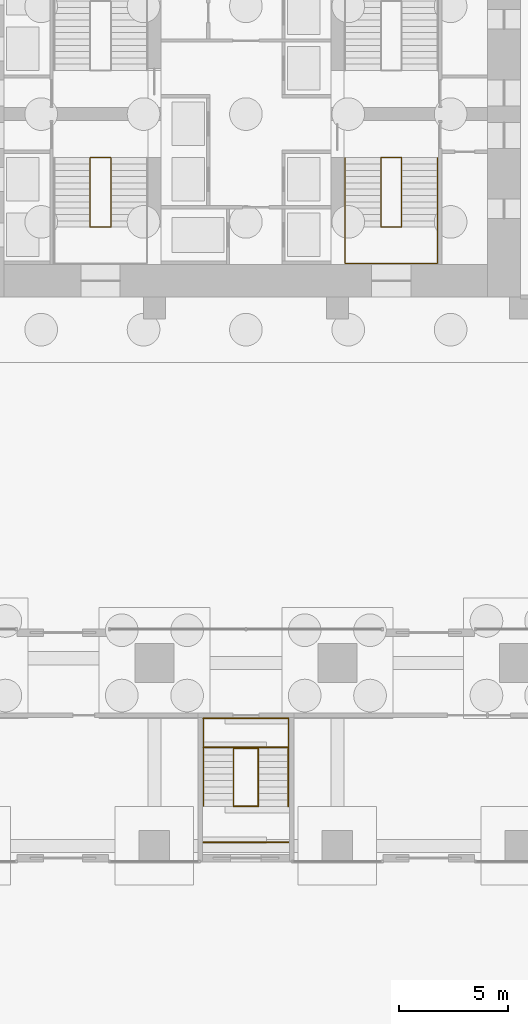
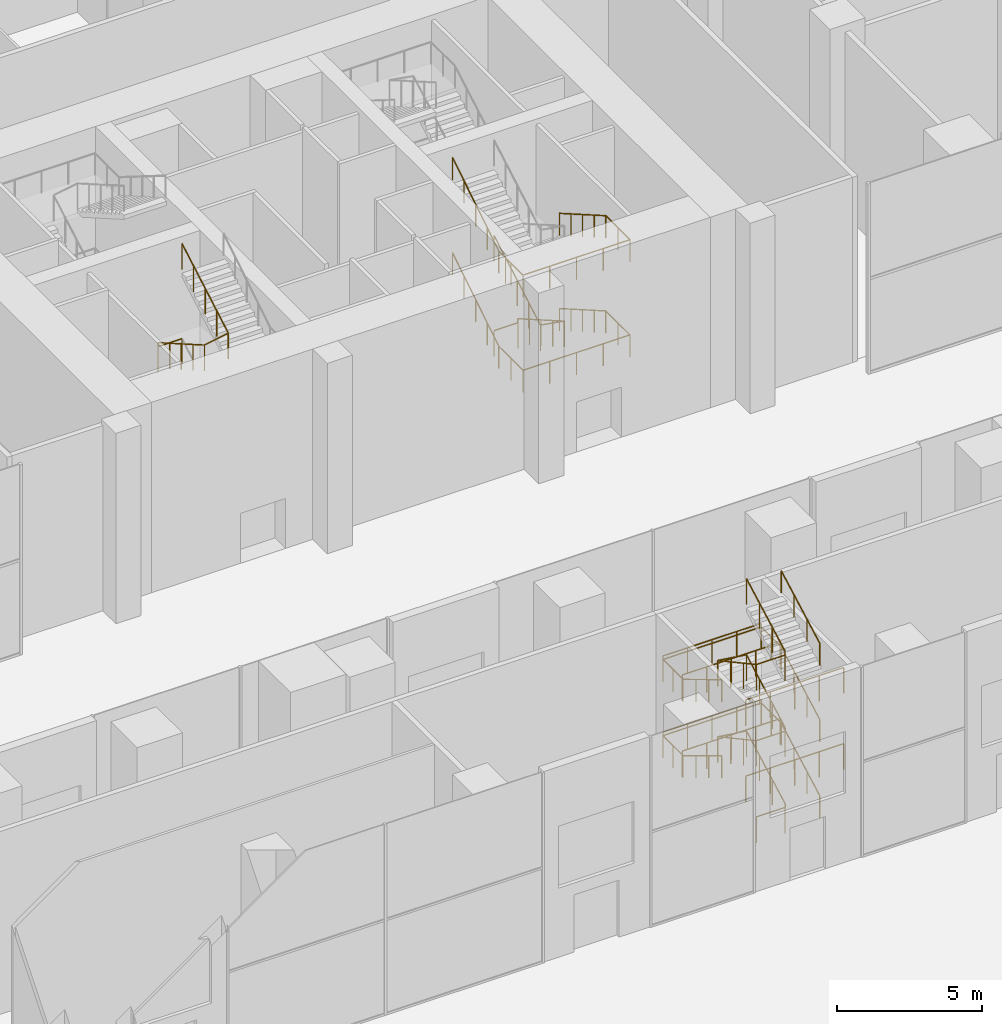
# One storey, part 25 of 31: 17 railings.
"""IFC4 building model written with IfcOpenShell, lengths in metres."""

from ifc_helpers import new_model, si_unit, direction, frame, origin, origin_2d, place, context, subcontext, project, spatial, circle, extrude, material, type_object, element, save


model = new_model("IFC4")

# Units and contexts
model_context = context("Model", 3, precision=1e-05, world=origin(), true_north=direction((0.0, 1.0)))
body_context = subcontext(model_context, "Body", "Model", "MODEL_VIEW")
ifc_project = project(units=[si_unit("LENGTHUNIT", "METRE"), si_unit("AREAUNIT", "SQUARE_METRE"), si_unit("VOLUMEUNIT", "CUBIC_METRE"), si_unit("PLANEANGLEUNIT", "RADIAN"), si_unit("MASSUNIT", "GRAM", prefix="KILO")], contexts=[model_context])

# Site, building, storey
site_placement = place(None, origin())
site = spatial("IfcSite", under=ifc_project, at=site_placement, CompositionType="ELEMENT")
building_placement = place(site_placement, origin())
building = spatial("IfcBuilding", under=site, at=building_placement, Name="Marenta Gate Hotel Tower", CompositionType="ELEMENT")
storey_placement = place(building_placement, origin())
storey = spatial("IfcBuildingStorey", under=building, at=storey_placement, Name="L00", CompositionType="ELEMENT", Elevation=0.0)

# Railings
ifc_material_1 = material(Name="Stainless steel", Category="steel")
railing_type_1 = type_object("IfcRailingType", Name="Core stair handrail 950", PredefinedType="HANDRAIL", material=ifc_material_1)
railing_1_placement = place(storey_placement, frame((8.800048828125, 6.39990234375, 0.166748046875)))
element("IfcRailing", 1, at=railing_1_placement, inside=storey, type_object=railing_type_1, Name="HR-950 L00-KR-ST3-1", PredefinedType="HANDRAIL", context=body_context, shape_type="SweptSolid", body=[
    extrude(circle(Radius=0.02392578125, at=origin_2d()), frame((0.0, 0.0, 0.92578125), z_axis=(0.0, -0.867019545617, 0.498274128887), x_axis=(1.0, 0.0, 0.0)), (0.0, 0.0, 1.0), 3.67919921875),
    extrude(circle(Radius=0.02392578125, at=origin_2d()), frame((0.0, -3.18994140625, 2.75927734375), z_axis=(0.0, -1.0, 0.0), x_axis=(1.0, 0.0, 0.0)), (0.0, 0.0, 1.0), 1.659912109375),
    extrude(circle(Radius=0.02392578125, at=origin_2d()), frame((0.0, -4.849853515625, 2.75927734375), z_axis=(-1.0, 0.0, 0.0), x_axis=(0.0, -1.0, 0.0)), (0.0, 0.0, 1.0), 4.25),
    extrude(circle(Radius=0.02392578125, at=origin_2d()), frame((-4.25, -4.849853515625, 2.75927734375), z_axis=(0.0, 1.0, 0.0), x_axis=(-1.0, 0.0, 0.0)), (0.0, 0.0, 1.0), 1.659912109375),
    extrude(circle(Radius=0.02392578125, at=origin_2d()), frame((-4.25, -3.18994140625, 2.75927734375), z_axis=(0.0, 0.847247016309, 0.531199108955), x_axis=(-1.0, 0.0, 0.0)), (0.0, 0.0, 1.0), 3.76513671875),
    extrude(circle(Radius=0.02099609375, at=origin_2d()), origin(), (0.0, 0.0, 1.0), 0.90185546875),
    extrude(circle(Radius=0.02099609375, at=origin_2d()), frame((0.0, -0.79736328125, 0.458251953125)), (0.0, 0.0, 1.0), 0.90185546875),
    extrude(circle(Radius=0.02099609375, at=origin_2d()), frame((0.0, -1.594970703125, 0.91650390625)), (0.0, 0.0, 1.0), 0.90185546875),
    extrude(circle(Radius=0.02099609375, at=origin_2d()), frame((0.0, -2.392578125, 1.375)), (0.0, 0.0, 1.0), 0.90185546875),
    extrude(circle(Radius=0.02099609375, at=origin_2d()), frame((0.0, -3.18994140625, 1.833251953125)), (0.0, 0.0, 1.0), 0.90185546875),
    extrude(circle(Radius=0.02099609375, at=origin_2d()), frame((0.0, -4.02001953125, 1.833251953125)), (0.0, 0.0, 1.0), 0.90185546875),
    extrude(circle(Radius=0.02099609375, at=origin_2d()), frame((0.0, -4.849853515625, 1.833251953125)), (0.0, 0.0, 1.0), 0.90185546875),
    extrude(circle(Radius=0.02099609375, at=origin_2d()), frame((-1.0625, -4.849853515625, 1.833251953125)), (0.0, 0.0, 1.0), 0.90185546875),
    extrude(circle(Radius=0.02099609375, at=origin_2d()), frame((-2.125, -4.849853515625, 1.833251953125)), (0.0, 0.0, 1.0), 0.90185546875),
    extrude(circle(Radius=0.02099609375, at=origin_2d()), frame((-3.1875, -4.849853515625, 1.833251953125)), (0.0, 0.0, 1.0), 0.90185546875),
    extrude(circle(Radius=0.02099609375, at=origin_2d()), frame((-4.25, -4.849853515625, 1.833251953125)), (0.0, 0.0, 1.0), 0.90185546875),
    extrude(circle(Radius=0.02099609375, at=origin_2d()), frame((-4.25, -4.02001953125, 1.833251953125)), (0.0, 0.0, 1.0), 0.90185546875),
    extrude(circle(Radius=0.02099609375, at=origin_2d()), frame((-4.25, -3.18994140625, 1.833251953125)), (0.0, 0.0, 1.0), 0.90185546875),
    extrude(circle(Radius=0.02099609375, at=origin_2d()), frame((-4.25, -2.392578125, 2.333251953125)), (0.0, 0.0, 1.0), 0.90185546875),
    extrude(circle(Radius=0.02099609375, at=origin_2d()), frame((-4.25, -1.594970703125, 2.833251953125)), (0.0, 0.0, 1.0), 0.90185546875),
    extrude(circle(Radius=0.02099609375, at=origin_2d()), frame((-4.25, -0.79736328125, 3.333251953125)), (0.0, 0.0, 1.0), 0.90185546875),
    extrude(circle(Radius=0.02099609375, at=origin_2d()), frame((-4.25, 0.0, 3.833251953125)), (0.0, 0.0, 1.0), 0.90185546875),
])
railing_2_placement = place(storey_placement, frame((8.800048828125, 6.39990234375, 4.166748046875)))
element("IfcRailing", 2, at=railing_2_placement, inside=storey, type_object=railing_type_1, Name="HR-950 L00-KR-ST3-3", PredefinedType="HANDRAIL", context=body_context, shape_type="SweptSolid", body=[
    extrude(circle(Radius=0.02392578125, at=origin_2d()), frame((0.0, 0.0, 0.92578125), z_axis=(0.0, -0.867019545617, 0.498274128887), x_axis=(1.0, 0.0, 0.0)), (0.0, 0.0, 1.0), 3.67919921875),
    extrude(circle(Radius=0.02392578125, at=origin_2d()), frame((0.0, -3.18994140625, 2.75927734375), z_axis=(0.0, -1.0, 0.0), x_axis=(1.0, 0.0, 0.0)), (0.0, 0.0, 1.0), 1.659912109375),
    extrude(circle(Radius=0.02392578125, at=origin_2d()), frame((0.0, -4.849853515625, 2.75927734375), z_axis=(-1.0, 0.0, 0.0), x_axis=(0.0, -1.0, 0.0)), (0.0, 0.0, 1.0), 4.25),
    extrude(circle(Radius=0.02392578125, at=origin_2d()), frame((-4.25, -4.849853515625, 2.75927734375), z_axis=(0.0, 1.0, 0.0), x_axis=(-1.0, 0.0, 0.0)), (0.0, 0.0, 1.0), 1.659912109375),
    extrude(circle(Radius=0.02392578125, at=origin_2d()), frame((-4.25, -3.18994140625, 2.75927734375), z_axis=(0.0, 0.847247016309, 0.531199108955), x_axis=(-1.0, 0.0, 0.0)), (0.0, 0.0, 1.0), 3.76513671875),
    extrude(circle(Radius=0.02099609375, at=origin_2d()), origin(), (0.0, 0.0, 1.0), 0.90185546875),
    extrude(circle(Radius=0.02099609375, at=origin_2d()), frame((0.0, -0.79736328125, 0.458251953125)), (0.0, 0.0, 1.0), 0.90185546875),
    extrude(circle(Radius=0.02099609375, at=origin_2d()), frame((0.0, -1.594970703125, 0.91650390625)), (0.0, 0.0, 1.0), 0.90185546875),
    extrude(circle(Radius=0.02099609375, at=origin_2d()), frame((0.0, -2.392578125, 1.375)), (0.0, 0.0, 1.0), 0.90185546875),
    extrude(circle(Radius=0.02099609375, at=origin_2d()), frame((0.0, -3.18994140625, 1.833251953125)), (0.0, 0.0, 1.0), 0.90185546875),
    extrude(circle(Radius=0.02099609375, at=origin_2d()), frame((0.0, -4.02001953125, 1.833251953125)), (0.0, 0.0, 1.0), 0.90185546875),
    extrude(circle(Radius=0.02099609375, at=origin_2d()), frame((0.0, -4.849853515625, 1.833251953125)), (0.0, 0.0, 1.0), 0.90185546875),
    extrude(circle(Radius=0.02099609375, at=origin_2d()), frame((-1.0625, -4.849853515625, 1.833251953125)), (0.0, 0.0, 1.0), 0.90185546875),
    extrude(circle(Radius=0.02099609375, at=origin_2d()), frame((-2.125, -4.849853515625, 1.833251953125)), (0.0, 0.0, 1.0), 0.90185546875),
    extrude(circle(Radius=0.02099609375, at=origin_2d()), frame((-3.1875, -4.849853515625, 1.833251953125)), (0.0, 0.0, 1.0), 0.90185546875),
    extrude(circle(Radius=0.02099609375, at=origin_2d()), frame((-4.25, -4.849853515625, 1.833251953125)), (0.0, 0.0, 1.0), 0.90185546875),
    extrude(circle(Radius=0.02099609375, at=origin_2d()), frame((-4.25, -4.02001953125, 1.833251953125)), (0.0, 0.0, 1.0), 0.90185546875),
    extrude(circle(Radius=0.02099609375, at=origin_2d()), frame((-4.25, -3.18994140625, 1.833251953125)), (0.0, 0.0, 1.0), 0.90185546875),
    extrude(circle(Radius=0.02099609375, at=origin_2d()), frame((-4.25, -2.392578125, 2.333251953125)), (0.0, 0.0, 1.0), 0.90185546875),
    extrude(circle(Radius=0.02099609375, at=origin_2d()), frame((-4.25, -1.594970703125, 2.833251953125)), (0.0, 0.0, 1.0), 0.90185546875),
    extrude(circle(Radius=0.02099609375, at=origin_2d()), frame((-4.25, -0.79736328125, 3.333251953125)), (0.0, 0.0, 1.0), 0.90185546875),
    extrude(circle(Radius=0.02099609375, at=origin_2d()), frame((-4.25, 0.0, 3.833251953125)), (0.0, 0.0, 1.0), 0.90185546875),
])
railing_3_placement = place(storey_placement, frame((1.949951171875, -23.385009765625, 0.159912109375)))
element("IfcRailing", 3, at=railing_3_placement, inside=storey, type_object=railing_type_1, Name="HR-950 L00-KR-PX5-2", PredefinedType="HANDRAIL", context=body_context, shape_type="SweptSolid", body=[
    extrude(circle(Radius=0.02392578125, at=origin_2d()), frame((0.0, 0.0, 0.92578125), z_axis=(0.0, 0.879008314826, 0.476806441302), x_axis=(-1.0, 0.0, 0.0)), (0.0, 0.0, 1.0), 3.0205078125),
    extrude(circle(Radius=0.02392578125, at=origin_2d()), frame((0.0, 2.655029296875, 2.3662109375), z_axis=(0.0, 1.0, 0.0), x_axis=(-1.0, 0.0, 0.0)), (0.0, 0.0, 1.0), 1.3798828125),
    extrude(circle(Radius=0.02392578125, at=origin_2d()), frame((0.0, 4.034912109375, 2.3662109375), z_axis=(-1.0, 0.0, 0.0), x_axis=(0.0, -1.0, 0.0)), (0.0, 0.0, 1.0), 3.89990234375),
    extrude(circle(Radius=0.02392578125, at=origin_2d()), frame((-3.89990234375, 4.034912109375, 2.3662109375), z_axis=(0.0, -1.0, 0.0), x_axis=(1.0, 0.0, 0.0)), (0.0, 0.0, 1.0), 1.3798828125),
    extrude(circle(Radius=0.02392578125, at=origin_2d()), frame((-3.89990234375, 2.655029296875, 2.3662109375), z_axis=(0.0, -0.856518470943, 0.516116371503), x_axis=(1.0, 0.0, 0.0)), (0.0, 0.0, 1.0), 3.099853515625),
    extrude(circle(Radius=0.02099609375, at=origin_2d()), origin(), (0.0, 0.0, 1.0), 0.90185546875),
    extrude(circle(Radius=0.02099609375, at=origin_2d()), frame((0.0, 0.885009765625, 0.47998046875)), (0.0, 0.0, 1.0), 0.90185546875),
    extrude(circle(Radius=0.02099609375, at=origin_2d()), frame((0.0, 1.77001953125, 0.960205078125)), (0.0, 0.0, 1.0), 0.90185546875),
    extrude(circle(Radius=0.02099609375, at=origin_2d()), frame((0.0, 2.655029296875, 1.440185546875)), (0.0, 0.0, 1.0), 0.90185546875),
    extrude(circle(Radius=0.02099609375, at=origin_2d()), frame((0.0, 3.344970703125, 1.440185546875)), (0.0, 0.0, 1.0), 0.90185546875),
    extrude(circle(Radius=0.02099609375, at=origin_2d()), frame((0.0, 4.034912109375, 1.440185546875)), (0.0, 0.0, 1.0), 0.90185546875),
    extrude(circle(Radius=0.02099609375, at=origin_2d()), frame((-0.97509765625, 4.034912109375, 1.440185546875)), (0.0, 0.0, 1.0), 0.90185546875),
    extrude(circle(Radius=0.02099609375, at=origin_2d()), frame((-1.949951171875, 4.034912109375, 1.440185546875)), (0.0, 0.0, 1.0), 0.90185546875),
    extrude(circle(Radius=0.02099609375, at=origin_2d()), frame((-2.9248046875, 4.034912109375, 1.440185546875)), (0.0, 0.0, 1.0), 0.90185546875),
    extrude(circle(Radius=0.02099609375, at=origin_2d()), frame((-3.89990234375, 4.034912109375, 1.440185546875)), (0.0, 0.0, 1.0), 0.90185546875),
    extrude(circle(Radius=0.02099609375, at=origin_2d()), frame((-3.89990234375, 3.344970703125, 1.440185546875)), (0.0, 0.0, 1.0), 0.90185546875),
    extrude(circle(Radius=0.02099609375, at=origin_2d()), frame((-3.89990234375, 2.655029296875, 1.440185546875)), (0.0, 0.0, 1.0), 0.90185546875),
    extrude(circle(Radius=0.02099609375, at=origin_2d()), frame((-3.89990234375, 1.77001953125, 1.973388671875)), (0.0, 0.0, 1.0), 0.90185546875),
    extrude(circle(Radius=0.02099609375, at=origin_2d()), frame((-3.89990234375, 0.885009765625, 2.5068359375)), (0.0, 0.0, 1.0), 0.90185546875),
    extrude(circle(Radius=0.02099609375, at=origin_2d()), frame((-3.89990234375, 0.0, 3.0400390625)), (0.0, 0.0, 1.0), 0.90185546875),
])
railing_4_placement = place(storey_placement, frame((1.949951171875, -23.385009765625, 3.360107421875)))
element("IfcRailing", 4, at=railing_4_placement, inside=storey, type_object=railing_type_1, Name="HR-950 L00-KR-PX5-5", PredefinedType="HANDRAIL", context=body_context, shape_type="SweptSolid", body=[
    extrude(circle(Radius=0.02392578125, at=origin_2d()), frame((0.0, 0.0, 0.92578125), z_axis=(0.0, 0.879042190435, 0.476743985212), x_axis=(-1.0, 0.0, 0.0)), (0.0, 0.0, 1.0), 3.020263671875),
    extrude(circle(Radius=0.02392578125, at=origin_2d()), frame((0.0, 2.655029296875, 2.36572265625), z_axis=(0.0, 1.0, 0.0), x_axis=(-1.0, 0.0, 0.0)), (0.0, 0.0, 1.0), 1.3798828125),
    extrude(circle(Radius=0.02392578125, at=origin_2d()), frame((0.0, 4.034912109375, 2.36572265625), z_axis=(-1.0, 0.0, 0.0), x_axis=(0.0, -1.0, 0.0)), (0.0, 0.0, 1.0), 3.89990234375),
    extrude(circle(Radius=0.02392578125, at=origin_2d()), frame((-3.89990234375, 4.034912109375, 2.36572265625), z_axis=(0.0, -1.0, 0.0), x_axis=(1.0, 0.0, 0.0)), (0.0, 0.0, 1.0), 1.3798828125),
    extrude(circle(Radius=0.02392578125, at=origin_2d()), frame((-3.89990234375, 2.655029296875, 2.36572265625), z_axis=(0.0, -0.856518470943, 0.516116371503), x_axis=(1.0, 0.0, 0.0)), (0.0, 0.0, 1.0), 3.099853515625),
    extrude(circle(Radius=0.02099609375, at=origin_2d()), origin(), (0.0, 0.0, 1.0), 0.90185546875),
    extrude(circle(Radius=0.02099609375, at=origin_2d()), frame((0.0, 0.885009765625, 0.47998046875)), (0.0, 0.0, 1.0), 0.90185546875),
    extrude(circle(Radius=0.02099609375, at=origin_2d()), frame((0.0, 1.77001953125, 0.9599609375)), (0.0, 0.0, 1.0), 0.90185546875),
    extrude(circle(Radius=0.02099609375, at=origin_2d()), frame((0.0, 2.655029296875, 1.43994140625)), (0.0, 0.0, 1.0), 0.90185546875),
    extrude(circle(Radius=0.02099609375, at=origin_2d()), frame((0.0, 3.344970703125, 1.43994140625)), (0.0, 0.0, 1.0), 0.90185546875),
    extrude(circle(Radius=0.02099609375, at=origin_2d()), frame((0.0, 4.034912109375, 1.43994140625)), (0.0, 0.0, 1.0), 0.90185546875),
    extrude(circle(Radius=0.02099609375, at=origin_2d()), frame((-0.97509765625, 4.034912109375, 1.43994140625)), (0.0, 0.0, 1.0), 0.90185546875),
    extrude(circle(Radius=0.02099609375, at=origin_2d()), frame((-1.949951171875, 4.034912109375, 1.43994140625)), (0.0, 0.0, 1.0), 0.90185546875),
    extrude(circle(Radius=0.02099609375, at=origin_2d()), frame((-2.9248046875, 4.034912109375, 1.43994140625)), (0.0, 0.0, 1.0), 0.90185546875),
    extrude(circle(Radius=0.02099609375, at=origin_2d()), frame((-3.89990234375, 4.034912109375, 1.43994140625)), (0.0, 0.0, 1.0), 0.90185546875),
    extrude(circle(Radius=0.02099609375, at=origin_2d()), frame((-3.89990234375, 3.344970703125, 1.43994140625)), (0.0, 0.0, 1.0), 0.90185546875),
    extrude(circle(Radius=0.02099609375, at=origin_2d()), frame((-3.89990234375, 2.655029296875, 1.43994140625)), (0.0, 0.0, 1.0), 0.90185546875),
    extrude(circle(Radius=0.02099609375, at=origin_2d()), frame((-3.89990234375, 1.77001953125, 1.97314453125)), (0.0, 0.0, 1.0), 0.90185546875),
    extrude(circle(Radius=0.02099609375, at=origin_2d()), frame((-3.89990234375, 0.885009765625, 2.506591796875)), (0.0, 0.0, 1.0), 0.90185546875),
    extrude(circle(Radius=0.02099609375, at=origin_2d()), frame((-3.89990234375, 0.0, 3.039794921875)), (0.0, 0.0, 1.0), 0.90185546875),
])
railing_5_placement = place(storey_placement, frame((1.949951171875, -23.385009765625, 6.56005859375)))
element("IfcRailing", 5, at=railing_5_placement, inside=storey, type_object=railing_type_1, Name="HR-950 L00-KR-PX5-8", PredefinedType="HANDRAIL", context=body_context, shape_type="SweptSolid", body=[
    extrude(circle(Radius=0.02392578125, at=origin_2d()), frame((0.0, 0.0, 0.92578125), z_axis=(0.0, 0.879042190435, 0.476743985212), x_axis=(-1.0, 0.0, 0.0)), (0.0, 0.0, 1.0), 3.020263671875),
    extrude(circle(Radius=0.02099609375, at=origin_2d()), origin(), (0.0, 0.0, 1.0), 0.90185546875),
    extrude(circle(Radius=0.02099609375, at=origin_2d()), frame((0.0, 0.885009765625, 0.47998046875)), (0.0, 0.0, 1.0), 0.90185546875),
    extrude(circle(Radius=0.02099609375, at=origin_2d()), frame((0.0, 1.77001953125, 0.9599609375)), (0.0, 0.0, 1.0), 0.90185546875),
    extrude(circle(Radius=0.02099609375, at=origin_2d()), frame((0.0, 2.655029296875, 1.43994140625)), (0.0, 0.0, 1.0), 0.90185546875),
])
ifc_material_2 = material(Name="Stainless steel", Category="steel")
railing_type_2 = type_object("IfcRailingType", Name="Core stair well guard 1100", PredefinedType="GUARDRAIL", material=ifc_material_2)
railing_6_placement = place(storey_placement, frame((-6.199951171875, 6.39990234375, 4.0)))
element("IfcRailing", 6, at=railing_6_placement, inside=storey, type_object=railing_type_2, Name="GR-1100 L00-KR-ST1-4", PredefinedType="GUARDRAIL", context=body_context, shape_type="SweptSolid", body=[
    extrude(circle(Radius=0.02392578125, at=origin_2d()), frame((0.0, 0.0, 1.076171875), z_axis=(-1.0, 0.0, 0.0), x_axis=(0.0, -1.0, 0.0)), (0.0, 0.0, 1.0), 0.949951171875),
    extrude(circle(Radius=0.02392578125, at=origin_2d()), frame((-0.949951171875, 0.0, 1.076171875), z_axis=(0.0, 0.0, 1.0), x_axis=(1.0, 0.0, 0.0)), (0.0, 0.0, 1.0), 0.166748046875),
    extrude(circle(Radius=0.02392578125, at=origin_2d()), frame((-0.949951171875, 0.0, 1.24267578125), z_axis=(0.0, -0.867019545617, 0.498274128887), x_axis=(1.0, 0.0, 0.0)), (0.0, 0.0, 1.0), 3.67919921875),
    extrude(circle(Radius=0.02392578125, at=origin_2d()), frame((-0.949951171875, -3.18994140625, 3.076171875), z_axis=(0.984941147704, 0.0, 0.172889952167), x_axis=(0.0, 1.0, 0.0)), (0.0, 0.0, 1.0), 0.96435546875),
    extrude(circle(Radius=0.02392578125, at=origin_2d()), frame((0.0, -3.18994140625, 3.24267578125), z_axis=(0.0, 0.867019545617, 0.498274128887), x_axis=(-1.0, 0.0, 0.0)), (0.0, 0.0, 1.0), 3.67919921875),
    extrude(circle(Radius=0.02099609375, at=origin_2d()), origin(), (0.0, 0.0, 1.0), 1.052001953125),
    extrude(circle(Radius=0.02099609375, at=origin_2d()), frame((-0.949951171875, 0.0, 0.0)), (0.0, 0.0, 1.0), 1.052001953125),
    extrude(circle(Radius=0.02099609375, at=origin_2d()), frame((-0.949951171875, 0.0, 0.166748046875)), (0.0, 0.0, 1.0), 1.052001953125),
    extrude(circle(Radius=0.02099609375, at=origin_2d()), frame((-0.949951171875, -0.79736328125, 0.625)), (0.0, 0.0, 1.0), 1.052001953125),
    extrude(circle(Radius=0.02099609375, at=origin_2d()), frame((-0.949951171875, -1.594970703125, 1.08349609375)), (0.0, 0.0, 1.0), 1.052001953125),
    extrude(circle(Radius=0.02099609375, at=origin_2d()), frame((-0.949951171875, -2.392578125, 1.541748046875)), (0.0, 0.0, 1.0), 1.052001953125),
    extrude(circle(Radius=0.02099609375, at=origin_2d()), frame((-0.949951171875, -3.18994140625, 2.0)), (0.0, 0.0, 1.0), 1.052001953125),
    extrude(circle(Radius=0.02099609375, at=origin_2d()), frame((0.0, -3.18994140625, 2.166748046875)), (0.0, 0.0, 1.0), 1.052001953125),
    extrude(circle(Radius=0.02099609375, at=origin_2d()), frame((0.0, -2.392578125, 2.625)), (0.0, 0.0, 1.0), 1.052001953125),
    extrude(circle(Radius=0.02099609375, at=origin_2d()), frame((0.0, -1.594970703125, 3.08349609375)), (0.0, 0.0, 1.0), 1.052001953125),
    extrude(circle(Radius=0.02099609375, at=origin_2d()), frame((0.0, -0.79736328125, 3.541748046875)), (0.0, 0.0, 1.0), 1.052001953125),
    extrude(circle(Radius=0.02099609375, at=origin_2d()), frame((0.0, 0.0, 4.0)), (0.0, 0.0, 1.0), 1.052001953125),
])
railing_7_placement = place(storey_placement, frame((6.199951171875, 6.39990234375, 0.0)))
element("IfcRailing", 7, at=railing_7_placement, inside=storey, type_object=railing_type_2, Name="GR-1100 L00-KR-ST3-2", PredefinedType="GUARDRAIL", context=body_context, shape_type="SweptSolid", body=[
    extrude(circle(Radius=0.02392578125, at=origin_2d()), frame((0.0, 0.0, 1.076171875), z_axis=(1.0, 0.0, 0.0), x_axis=(0.0, 1.0, 0.0)), (0.0, 0.0, 1.0), 0.949951171875),
    extrude(circle(Radius=0.02392578125, at=origin_2d()), frame((0.949951171875, 0.0, 1.076171875), z_axis=(0.0, 0.0, 1.0), x_axis=(1.0, 0.0, 0.0)), (0.0, 0.0, 1.0), 0.166748046875),
    extrude(circle(Radius=0.02392578125, at=origin_2d()), frame((0.949951171875, 0.0, 1.24267578125), z_axis=(0.0, -0.867019545617, 0.498274128887), x_axis=(1.0, 0.0, 0.0)), (0.0, 0.0, 1.0), 3.67919921875),
    extrude(circle(Radius=0.02392578125, at=origin_2d()), frame((0.949951171875, -3.18994140625, 3.076171875), z_axis=(-0.984941147704, 0.0, 0.172889952167), x_axis=(0.0, -1.0, 0.0)), (0.0, 0.0, 1.0), 0.96435546875),
    extrude(circle(Radius=0.02392578125, at=origin_2d()), frame((0.0, -3.18994140625, 3.24267578125), z_axis=(0.0, 0.867019545617, 0.498274128887), x_axis=(-1.0, 0.0, 0.0)), (0.0, 0.0, 1.0), 3.67919921875),
    extrude(circle(Radius=0.02099609375, at=origin_2d()), origin(), (0.0, 0.0, 1.0), 1.052001953125),
    extrude(circle(Radius=0.02099609375, at=origin_2d()), frame((0.949951171875, 0.0, 0.0)), (0.0, 0.0, 1.0), 1.052001953125),
    extrude(circle(Radius=0.02099609375, at=origin_2d()), frame((0.949951171875, 0.0, 0.166748046875)), (0.0, 0.0, 1.0), 1.052001953125),
    extrude(circle(Radius=0.02099609375, at=origin_2d()), frame((0.949951171875, -0.79736328125, 0.625)), (0.0, 0.0, 1.0), 1.052001953125),
    extrude(circle(Radius=0.02099609375, at=origin_2d()), frame((0.949951171875, -1.594970703125, 1.08349609375)), (0.0, 0.0, 1.0), 1.052001953125),
    extrude(circle(Radius=0.02099609375, at=origin_2d()), frame((0.949951171875, -2.392578125, 1.541748046875)), (0.0, 0.0, 1.0), 1.052001953125),
    extrude(circle(Radius=0.02099609375, at=origin_2d()), frame((0.949951171875, -3.18994140625, 2.0)), (0.0, 0.0, 1.0), 1.052001953125),
    extrude(circle(Radius=0.02099609375, at=origin_2d()), frame((0.0, -3.18994140625, 2.166748046875)), (0.0, 0.0, 1.0), 1.052001953125),
    extrude(circle(Radius=0.02099609375, at=origin_2d()), frame((0.0, -2.392578125, 2.625)), (0.0, 0.0, 1.0), 1.052001953125),
    extrude(circle(Radius=0.02099609375, at=origin_2d()), frame((0.0, -1.594970703125, 3.08349609375)), (0.0, 0.0, 1.0), 1.052001953125),
    extrude(circle(Radius=0.02099609375, at=origin_2d()), frame((0.0, -0.79736328125, 3.541748046875)), (0.0, 0.0, 1.0), 1.052001953125),
    extrude(circle(Radius=0.02099609375, at=origin_2d()), frame((0.0, 0.0, 4.0)), (0.0, 0.0, 1.0), 1.052001953125),
])
railing_8_placement = place(storey_placement, frame((1.949951171875, -19.35009765625, 1.60009765625)))
element("IfcRailing", 8, at=railing_8_placement, inside=storey, type_object=railing_type_2, Name="GR-1100 L00-KR-PX5-1", PredefinedType="GUARDRAIL", context=body_context, shape_type="SweptSolid", body=[
    extrude(circle(Radius=0.02392578125, at=origin_2d()), frame((0.0, 0.0, 1.076171875), z_axis=(-1.0, 0.0, 0.0), x_axis=(0.0, -1.0, 0.0)), (0.0, 0.0, 1.0), 3.89990234375),
    extrude(circle(Radius=0.02099609375, at=origin_2d()), origin(), (0.0, 0.0, 1.0), 1.052001953125),
    extrude(circle(Radius=0.02099609375, at=origin_2d()), frame((-0.97509765625, 0.0, 0.0)), (0.0, 0.0, 1.0), 1.052001953125),
    extrude(circle(Radius=0.02099609375, at=origin_2d()), frame((-1.949951171875, 0.0, 0.0)), (0.0, 0.0, 1.0), 1.052001953125),
    extrude(circle(Radius=0.02099609375, at=origin_2d()), frame((-2.9248046875, 0.0, 0.0)), (0.0, 0.0, 1.0), 1.052001953125),
    extrude(circle(Radius=0.02099609375, at=origin_2d()), frame((-3.89990234375, 0.0, 0.0)), (0.0, 0.0, 1.0), 1.052001953125),
])
railing_9_placement = place(storey_placement, frame((-0.570068359375, -23.385009765625, 0.0)))
element("IfcRailing", 9, at=railing_9_placement, inside=storey, type_object=railing_type_2, Name="GR-1100 L00-KR-PX5-3", PredefinedType="GUARDRAIL", context=body_context, shape_type="SweptSolid", body=[
    extrude(circle(Radius=0.02392578125, at=origin_2d()), frame((0.0, 0.0, 1.076171875), z_axis=(1.0, 0.0, 0.0), x_axis=(0.0, 1.0, 0.0)), (0.0, 0.0, 1.0), 1.14013671875),
    extrude(circle(Radius=0.02392578125, at=origin_2d()), frame((1.14013671875, 0.0, 1.076171875), z_axis=(0.0, 0.0, 1.0), x_axis=(1.0, 0.0, 0.0)), (0.0, 0.0, 1.0), 0.159912109375),
    extrude(circle(Radius=0.02392578125, at=origin_2d()), frame((1.14013671875, 0.0, 1.23583984375), z_axis=(0.0, 0.879008314826, 0.476806441302), x_axis=(-1.0, 0.0, 0.0)), (0.0, 0.0, 1.0), 3.0205078125),
    extrude(circle(Radius=0.02392578125, at=origin_2d()), frame((1.14013671875, 2.655029296875, 2.67626953125), z_axis=(-0.990306774468, 0.0, 0.138897416976), x_axis=(0.0, -1.0, 0.0)), (0.0, 0.0, 1.0), 1.1513671875),
    extrude(circle(Radius=0.02392578125, at=origin_2d()), frame((0.0, 2.655029296875, 2.8359375), z_axis=(0.0, -0.879042190435, 0.476743985212), x_axis=(1.0, 0.0, 0.0)), (0.0, 0.0, 1.0), 3.020263671875),
    extrude(circle(Radius=0.02099609375, at=origin_2d()), origin(), (0.0, 0.0, 1.0), 1.052001953125),
    extrude(circle(Radius=0.02099609375, at=origin_2d()), frame((1.14013671875, 0.0, 0.0)), (0.0, 0.0, 1.0), 1.052001953125),
    extrude(circle(Radius=0.02099609375, at=origin_2d()), frame((1.14013671875, 0.0, 0.159912109375)), (0.0, 0.0, 1.0), 1.052001953125),
    extrude(circle(Radius=0.02099609375, at=origin_2d()), frame((1.14013671875, 0.885009765625, 0.639892578125)), (0.0, 0.0, 1.0), 1.052001953125),
    extrude(circle(Radius=0.02099609375, at=origin_2d()), frame((1.14013671875, 1.77001953125, 1.1201171875)), (0.0, 0.0, 1.0), 1.052001953125),
    extrude(circle(Radius=0.02099609375, at=origin_2d()), frame((1.14013671875, 2.655029296875, 1.60009765625)), (0.0, 0.0, 1.0), 1.052001953125),
    extrude(circle(Radius=0.02099609375, at=origin_2d()), frame((0.0, 2.655029296875, 1.760009765625)), (0.0, 0.0, 1.0), 1.052001953125),
    extrude(circle(Radius=0.02099609375, at=origin_2d()), frame((0.0, 1.77001953125, 2.239990234375)), (0.0, 0.0, 1.0), 1.052001953125),
    extrude(circle(Radius=0.02099609375, at=origin_2d()), frame((0.0, 0.885009765625, 2.719970703125)), (0.0, 0.0, 1.0), 1.052001953125),
    extrude(circle(Radius=0.02099609375, at=origin_2d()), frame((0.0, 0.0, 3.199951171875)), (0.0, 0.0, 1.0), 1.052001953125),
])
railing_10_placement = place(storey_placement, frame((1.949951171875, -19.35009765625, 4.800048828125)))
element("IfcRailing", 10, at=railing_10_placement, inside=storey, type_object=railing_type_2, Name="GR-1100 L00-KR-PX5-4", PredefinedType="GUARDRAIL", context=body_context, shape_type="SweptSolid", body=[
    extrude(circle(Radius=0.02392578125, at=origin_2d()), frame((0.0, 0.0, 1.076171875), z_axis=(-1.0, 0.0, 0.0), x_axis=(0.0, -1.0, 0.0)), (0.0, 0.0, 1.0), 3.89990234375),
    extrude(circle(Radius=0.02099609375, at=origin_2d()), origin(), (0.0, 0.0, 1.0), 1.052001953125),
    extrude(circle(Radius=0.02099609375, at=origin_2d()), frame((-0.97509765625, 0.0, 0.0)), (0.0, 0.0, 1.0), 1.052001953125),
    extrude(circle(Radius=0.02099609375, at=origin_2d()), frame((-1.949951171875, 0.0, 0.0)), (0.0, 0.0, 1.0), 1.052001953125),
    extrude(circle(Radius=0.02099609375, at=origin_2d()), frame((-2.9248046875, 0.0, 0.0)), (0.0, 0.0, 1.0), 1.052001953125),
    extrude(circle(Radius=0.02099609375, at=origin_2d()), frame((-3.89990234375, 0.0, 0.0)), (0.0, 0.0, 1.0), 1.052001953125),
])
railing_11_placement = place(storey_placement, frame((-0.570068359375, -23.385009765625, 3.199951171875)))
element("IfcRailing", 11, at=railing_11_placement, inside=storey, type_object=railing_type_2, Name="GR-1100 L00-KR-PX5-6", PredefinedType="GUARDRAIL", context=body_context, shape_type="SweptSolid", body=[
    extrude(circle(Radius=0.02392578125, at=origin_2d()), frame((0.0, 0.0, 1.076171875), z_axis=(1.0, 0.0, 0.0), x_axis=(0.0, 1.0, 0.0)), (0.0, 0.0, 1.0), 1.14013671875),
    extrude(circle(Radius=0.02392578125, at=origin_2d()), frame((1.14013671875, 0.0, 1.076171875), z_axis=(0.0, 0.0, 1.0), x_axis=(1.0, 0.0, 0.0)), (0.0, 0.0, 1.0), 0.16015625),
    extrude(circle(Radius=0.02392578125, at=origin_2d()), frame((1.14013671875, 0.0, 1.236328125), z_axis=(0.0, 0.879042190435, 0.476743985212), x_axis=(-1.0, 0.0, 0.0)), (0.0, 0.0, 1.0), 3.020263671875),
    extrude(circle(Radius=0.02392578125, at=origin_2d()), frame((1.14013671875, 2.655029296875, 2.67626953125), z_axis=(-0.990306774468, 0.0, 0.138897416976), x_axis=(0.0, -1.0, 0.0)), (0.0, 0.0, 1.0), 1.1513671875),
    extrude(circle(Radius=0.02392578125, at=origin_2d()), frame((0.0, 2.655029296875, 2.8359375), z_axis=(0.0, -0.879042190435, 0.476743985212), x_axis=(1.0, 0.0, 0.0)), (0.0, 0.0, 1.0), 3.020263671875),
    extrude(circle(Radius=0.02099609375, at=origin_2d()), origin(), (0.0, 0.0, 1.0), 1.052001953125),
    extrude(circle(Radius=0.02099609375, at=origin_2d()), frame((1.14013671875, 0.0, 0.0)), (0.0, 0.0, 1.0), 1.052001953125),
    extrude(circle(Radius=0.02099609375, at=origin_2d()), frame((1.14013671875, 0.0, 0.16015625)), (0.0, 0.0, 1.0), 1.052001953125),
    extrude(circle(Radius=0.02099609375, at=origin_2d()), frame((1.14013671875, 0.885009765625, 0.64013671875)), (0.0, 0.0, 1.0), 1.052001953125),
    extrude(circle(Radius=0.02099609375, at=origin_2d()), frame((1.14013671875, 1.77001953125, 1.1201171875)), (0.0, 0.0, 1.0), 1.052001953125),
    extrude(circle(Radius=0.02099609375, at=origin_2d()), frame((1.14013671875, 2.655029296875, 1.60009765625)), (0.0, 0.0, 1.0), 1.052001953125),
    extrude(circle(Radius=0.02099609375, at=origin_2d()), frame((0.0, 2.655029296875, 1.760009765625)), (0.0, 0.0, 1.0), 1.052001953125),
    extrude(circle(Radius=0.02099609375, at=origin_2d()), frame((0.0, 1.77001953125, 2.239990234375)), (0.0, 0.0, 1.0), 1.052001953125),
    extrude(circle(Radius=0.02099609375, at=origin_2d()), frame((0.0, 0.885009765625, 2.719970703125)), (0.0, 0.0, 1.0), 1.052001953125),
    extrude(circle(Radius=0.02099609375, at=origin_2d()), frame((0.0, 0.0, 3.199951171875)), (0.0, 0.0, 1.0), 1.052001953125),
])
railing_12_placement = place(storey_placement, frame((-0.570068359375, -23.385009765625, 6.39990234375)))
element("IfcRailing", 12, at=railing_12_placement, inside=storey, type_object=railing_type_2, Name="GR-1100 L00-KR-PX5-7", PredefinedType="GUARDRAIL", context=body_context, shape_type="SweptSolid", body=[
    extrude(circle(Radius=0.02392578125, at=origin_2d()), frame((0.0, 0.0, 1.076171875), z_axis=(1.0, 0.0, 0.0), x_axis=(0.0, 1.0, 0.0)), (0.0, 0.0, 1.0), 1.14013671875),
    extrude(circle(Radius=0.02099609375, at=origin_2d()), origin(), (0.0, 0.0, 1.0), 1.052001953125),
    extrude(circle(Radius=0.02099609375, at=origin_2d()), frame((1.14013671875, 0.0, 0.0)), (0.0, 0.0, 1.0), 1.052001953125),
])
railing_13_placement = place(storey_placement, frame((0.570068359375, -23.385009765625, 6.56005859375)))
element("IfcRailing", 13, at=railing_13_placement, inside=storey, type_object=railing_type_2, Name="GR-1100 L00-KR-PX5-9", PredefinedType="GUARDRAIL", context=body_context, shape_type="SweptSolid", body=[
    extrude(circle(Radius=0.02392578125, at=origin_2d()), frame((0.0, 0.0, 1.076171875), z_axis=(0.0, 0.879042190435, 0.476743985212), x_axis=(-1.0, 0.0, 0.0)), (0.0, 0.0, 1.0), 3.020263671875),
    extrude(circle(Radius=0.02099609375, at=origin_2d()), origin(), (0.0, 0.0, 1.0), 1.052001953125),
    extrude(circle(Radius=0.02099609375, at=origin_2d()), frame((0.0, 0.885009765625, 0.47998046875)), (0.0, 0.0, 1.0), 1.052001953125),
    extrude(circle(Radius=0.02099609375, at=origin_2d()), frame((0.0, 1.77001953125, 0.9599609375)), (0.0, 0.0, 1.0), 1.052001953125),
    extrude(circle(Radius=0.02099609375, at=origin_2d()), frame((0.0, 2.655029296875, 1.43994140625)), (0.0, 0.0, 1.0), 1.052001953125),
])
for number, where, name in (
    (14, (-1.949951171875, -20.669921875, 1.60009765625), "GR-1100 L00-KR-PX5-10"),
    (15, (-1.949951171875, -25.0400390625, 3.199951171875), "GR-1100 L00-KR-PX5-11"),
    (16, (-1.949951171875, -20.669921875, 4.800048828125), "GR-1100 L00-KR-PX5-12"),
    (17, (-1.949951171875, -25.0400390625, 6.39990234375), "GR-1100 L00-KR-PX5-13"),
):
    element("IfcRailing", number, at=place(storey_placement, frame(where)), inside=storey, type_object=railing_type_2, Name=name, PredefinedType="GUARDRAIL", context=body_context, shape_type="SweptSolid", body=[
        extrude(circle(Radius=0.02392578125, at=origin_2d()), frame((0.0, 0.0, 1.076171875), z_axis=(1.0, 0.0, 0.0), x_axis=(0.0, 1.0, 0.0)), (0.0, 0.0, 1.0), 3.89990234375),
        extrude(circle(Radius=0.02099609375, at=origin_2d()), origin(), (0.0, 0.0, 1.0), 1.052001953125),
        extrude(circle(Radius=0.02099609375, at=origin_2d()), frame((0.97509765625, 0.0, 0.0)), (0.0, 0.0, 1.0), 1.052001953125),
        extrude(circle(Radius=0.02099609375, at=origin_2d()), frame((1.949951171875, 0.0, 0.0)), (0.0, 0.0, 1.0), 1.052001953125),
        extrude(circle(Radius=0.02099609375, at=origin_2d()), frame((2.9248046875, 0.0, 0.0)), (0.0, 0.0, 1.0), 1.052001953125),
        extrude(circle(Radius=0.02099609375, at=origin_2d()), frame((3.89990234375, 0.0, 0.0)), (0.0, 0.0, 1.0), 1.052001953125),
    ])

save(model, "model.ifc")
